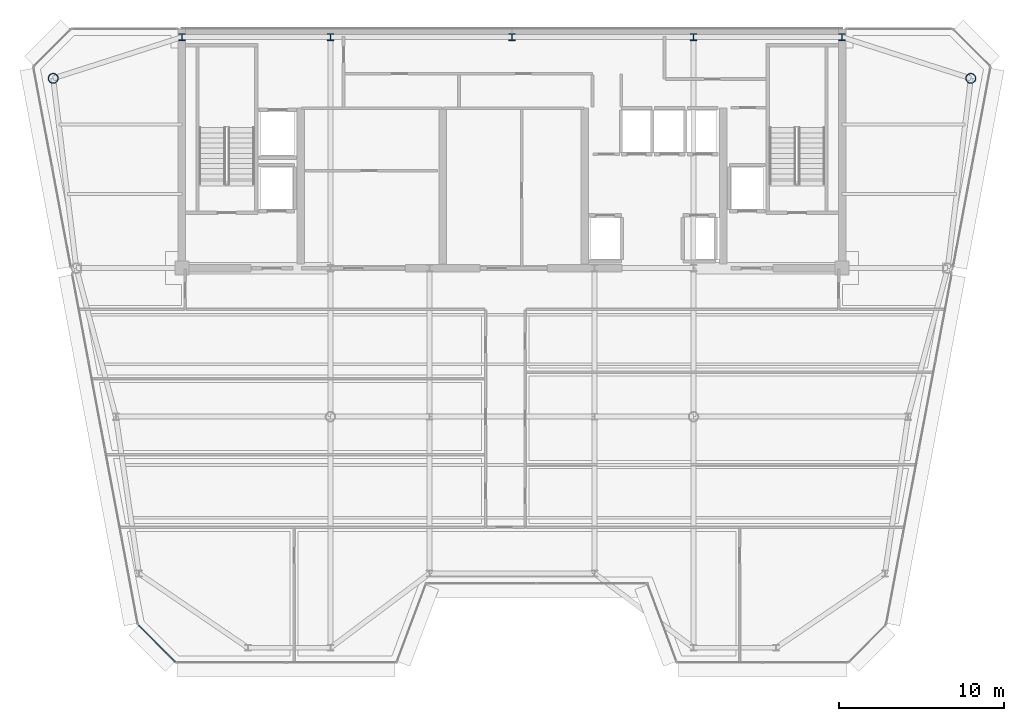
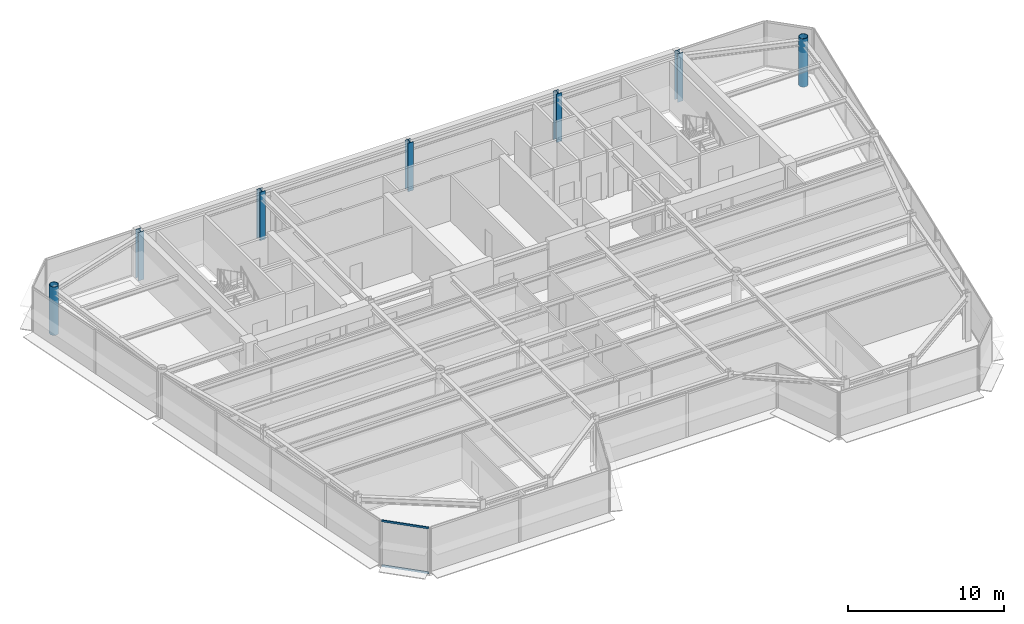
# One storey, part 2 of 20: 7 columns, 2 members, 1 element without a shape of its own.
"""IFC4 building model written with IfcOpenShell, lengths in metres."""

from ifc_helpers import new_model, si_unit, direction, frame, origin, origin_2d, place, context, subcontext, project, spatial, rectangle, hollow_circle, i_section, extrude, source, transform, mapped, material, layer, layer_set, material_profile, profile_set, type_object, element, aggregate, save


model = new_model("IFC4")

# Units and contexts
model_context = context("Model", 3, precision=1e-05, world=origin(), true_north=direction((0.0, 1.0)))
body_context = subcontext(model_context, "Body", "Model", "MODEL_VIEW")
ifc_project = project(units=[si_unit("LENGTHUNIT", "METRE"), si_unit("AREAUNIT", "SQUARE_METRE"), si_unit("VOLUMEUNIT", "CUBIC_METRE"), si_unit("PLANEANGLEUNIT", "RADIAN"), si_unit("MASSUNIT", "GRAM", prefix="KILO")], contexts=[model_context])

# Site, building, storey
site_placement = place(None, origin())
site = spatial("IfcSite", under=ifc_project, at=site_placement, CompositionType="ELEMENT")
building_placement = place(site_placement, origin())
building = spatial("IfcBuilding", under=site, at=building_placement, Name="Vaeldorn Concourse Tower", CompositionType="ELEMENT")
storey_placement = place(building_placement, frame((0.0, 0.0, 291.60009765625)))
storey = spatial("IfcBuildingStorey", under=building, at=storey_placement, Name="L75", CompositionType="ELEMENT", Elevation=291.60009765625)

# Columns
ifc_material_1 = material(Name="Steel S355", Category="steel")
ifc_material_profile_1 = material_profile(ifc_material_1, i_section(OverallWidth=0.406005859375, OverallDepth=0.416015625, WebThickness=0.02978515625, FlangeThickness=0.0419921875, FilletRadius=0.014892578125, at=origin_2d()), Name="HD 400x382")
ifc_profile_set_1 = profile_set([ifc_material_profile_1], Name="Steel S355")
column_type_1 = type_object("IfcColumnType", Name="COL-HD382", PredefinedType="COLUMN", material=ifc_profile_set_1)
shared_shape_1 = source(origin(), body_context, "Body", "SweptSolid", [
    extrude(i_section(OverallWidth=0.406005859375, OverallDepth=0.416015625, WebThickness=0.02978515625, FlangeThickness=0.0419921875, FilletRadius=0.014892578125, at=origin_2d()), origin(), (0.0, 0.0, 1.0), 3.7998046875),
])
for number, where, z_axis, x_axis, name in (
    (1, (14.0, 50.5, 0.0), (0.0, 0.0, 1.0), (1.0, 0.0, 0.0), "Column C-HC1 L75"),
    (2, (23.0, 50.5, 0.0), (0.0, 0.0, 1.0), (1.0, 0.0, 0.0), "Column C-HC2 L75"),
    (3, (34.0, 50.5, 0.0), (0.0, 0.0, 1.0), (1.0, 0.0, 0.0), "Column C-HC3 L75"),
    (4, (45.0, 50.5, 0.0), (0.0, 0.0, 1.0), (1.0, 0.0, 0.0), "Column C-HC4 L75"),
    (5, (54.0, 50.5, 0.0), (0.0, 0.0, 1.0), (1.0, 0.0, 0.0), "Column C-HC5 L75"),
):
    element("IfcColumn", number, at=place(storey_placement, frame(where, z_axis=z_axis, x_axis=x_axis)), inside=storey, type_object=column_type_1, Name=name, PredefinedType="COLUMN", context=body_context, shape_type="MappedRepresentation", body=[
        mapped(shared_shape_1, transform((0.0, 0.0, 0.0), scale=1.0)),
    ])
ifc_material_profile_2 = material_profile(ifc_material_1, hollow_circle(Radius=0.304931640625, WallThickness=0.030029296875, at=origin_2d()), Name="CHS 610x30")
ifc_profile_set_2 = profile_set([ifc_material_profile_2], Name="Steel S355")
column_type_2 = type_object("IfcColumnType", Name="COL-CHS610", PredefinedType="COLUMN", material=ifc_profile_set_2)
shared_shape_2 = source(origin(), body_context, "Body", "SweptSolid", [
    extrude(hollow_circle(Radius=0.304931640625, WallThickness=0.030029296875, at=origin_2d()), origin(), (0.0, 0.0, 1.0), 3.7998046875),
])
for number, where, z_axis, x_axis, name in (
    (6, (6.199951171875, 48.0, 0.0), (0.0, 0.0, 1.0), (1.0, 0.0, 0.0), "Column C-NW1 L75"),
    (7, (61.800048828125, 48.0, 0.0), (0.0, 0.0, 1.0), (1.0, 0.0, 0.0), "Column C-NE1 L75"),
):
    element("IfcColumn", number, at=place(storey_placement, frame(where, z_axis=z_axis, x_axis=x_axis)), inside=storey, type_object=column_type_2, Name=name, PredefinedType="COLUMN", context=body_context, shape_type="MappedRepresentation", body=[
        mapped(shared_shape_2, transform((0.0, 0.0, 0.0), scale=1.0)),
    ])

# Curtain wall, members
ifc_material_2 = material(Name="Anodised Bronze Aluminium", Category="aluminium")
ifc_layer = layer(ifc_material_2, 0.179931640625)
ifc_layer_set = layer_set([ifc_layer], Name="Anodised Bronze Aluminium")
curtain_wall_type = type_object("IfcCurtainWallType", Name="CW-SYS-05", PredefinedType="NOTDEFINED", material=ifc_layer_set)
curtain_wall_placement = place(storey_placement, origin())
curtain_wall = element("IfcCurtainWall", 8, at=curtain_wall_placement, inside=storey, type_object=curtain_wall_type, Name="Unitised Curtain Wall CW-L75-E12-1", PredefinedType="NOTDEFINED")
ifc_material_profile_3 = material_profile(ifc_material_2, rectangle(XDim=0.06494140625, YDim=0.14990234375, at=origin_2d()), Name="CWT 65x150")
ifc_profile_set_3 = profile_set([ifc_material_profile_3], Name="Anodised Bronze Aluminium")
member_type = type_object("IfcMemberType", Name="CWT-BRONZE-150", PredefinedType="USERDEFINED", material=ifc_profile_set_3)
shared_shape_3 = source(origin(), body_context, "Body", "SweptSolid", [
    extrude(rectangle(XDim=0.06494140625, YDim=0.14990234375, at=origin_2d()), origin(), (0.0, 0.0, 1.0), 3.12255859375),
])
member_1_placement = place(storey_placement, frame((11.382080078125, 14.85400390625, 0.032470703125), z_axis=(0.707106781187, -0.707106781187, 0.0), x_axis=(0.707106781187, 0.707106781187, 0.0)))
member_1 = element("IfcMember", 9, at=member_1_placement, type_object=member_type, Name="CW-05 transom 1.1", ObjectType="TRANSOM", PredefinedType="USERDEFINED", context=body_context, shape_type="MappedRepresentation", body=[
    mapped(shared_shape_3, transform((0.0, 0.0, 0.0), scale=1.0)),
])
member_2_placement = place(storey_placement, frame((11.382080078125, 14.85400390625, 3.54736328125), z_axis=(0.707106781187, -0.707106781187, 0.0), x_axis=(0.707106781187, 0.707106781187, 0.0)))
member_2 = element("IfcMember", 10, at=member_2_placement, type_object=member_type, Name="CW-05 transom 1.2", ObjectType="TRANSOM", PredefinedType="USERDEFINED", context=body_context, shape_type="MappedRepresentation", body=[
    mapped(shared_shape_3, transform((0.0, 0.0, 0.0), scale=1.0)),
])
aggregate(curtain_wall, [member_1, member_2])

save(model, "model.ifc")
